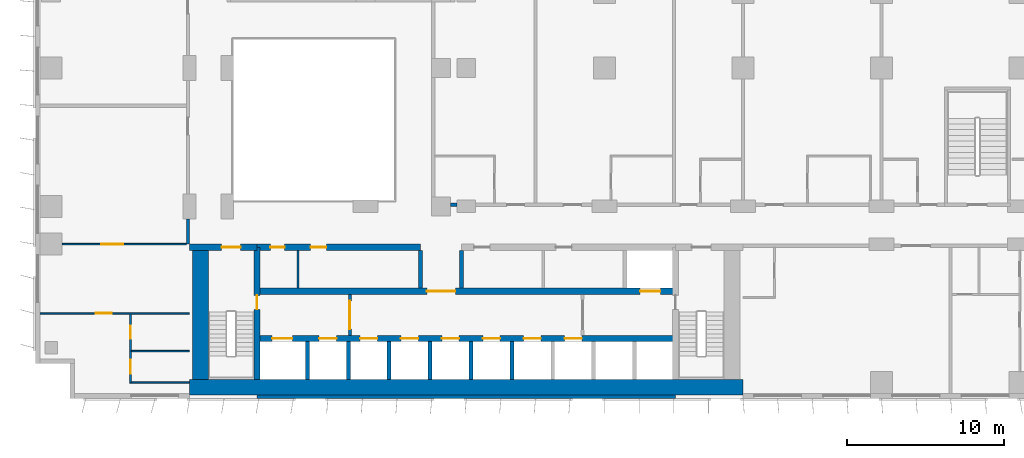
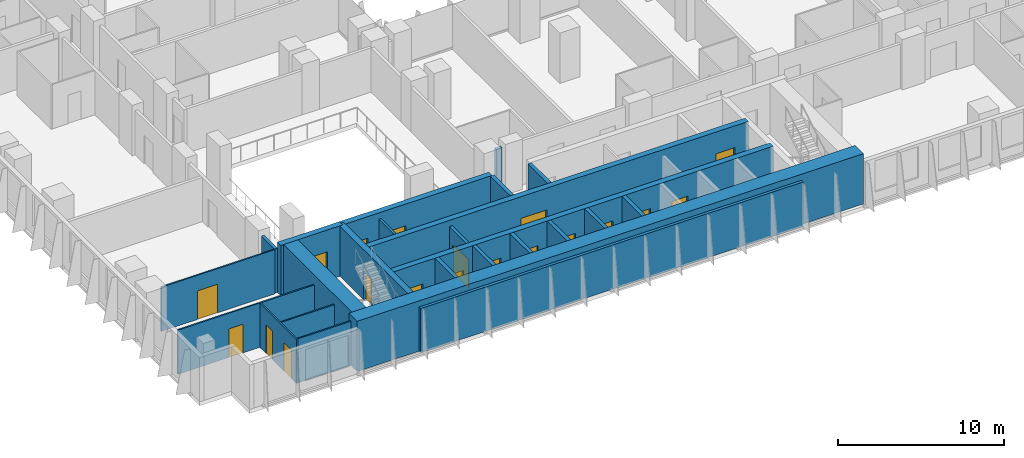
# One storey, part 12 of 24: 25 walls, 19 doors, 19 openings.
"""IFC4 building model written with IfcOpenShell, lengths in metres."""

from ifc_helpers import new_model, si_unit, direction, frame, frame_2d, origin, place, context, subcontext, project, spatial, rectangle, extrude, material, layer, layer_set, type_object, element, fill, save


model = new_model("IFC4")

# Units and contexts
model_context = context("Model", 3, precision=1e-05, world=origin(), true_north=direction((0.0, 1.0)))
body_context = subcontext(model_context, "Body", "Model", "MODEL_VIEW")
ifc_project = project(units=[si_unit("LENGTHUNIT", "METRE"), si_unit("AREAUNIT", "SQUARE_METRE"), si_unit("VOLUMEUNIT", "CUBIC_METRE"), si_unit("PLANEANGLEUNIT", "RADIAN"), si_unit("MASSUNIT", "GRAM", prefix="KILO")], contexts=[model_context])

# Site, building, storey
site_placement = place(None, origin())
site = spatial("IfcSite", under=ifc_project, at=site_placement, CompositionType="ELEMENT")
building_placement = place(site_placement, origin())
building = spatial("IfcBuilding", under=site, at=building_placement, Name="Kemantara Hotel Tower", CompositionType="ELEMENT")
storey_placement = place(building_placement, frame((0.0, 0.0, 79.699951171875)))
storey = spatial("IfcBuildingStorey", under=building, at=storey_placement, Name="L18", CompositionType="ELEMENT", Elevation=79.699951171875)

# Walls
ifc_material_1 = material(Name="Bronze anodised aluminium cladding on insulated steel stud wall", Category="steel")
ifc_layer_1 = layer(ifc_material_1, 0.199951171875)
ifc_layer_set_1 = layer_set([ifc_layer_1], Name="Bronze anodised aluminium cladding on insulated steel stud wall")
wall_type_1 = type_object("IfcWallType", Name="BRONZE METAL-CLAD EXTERNAL WALL 200", PredefinedType="STANDARD", material=ifc_layer_set_1)
wall_1_placement = place(storey_placement, frame((14.10009765625, 0.10009765625, 0.0), z_axis=(0.0, 0.0, 1.0), x_axis=(1.0, 0.0, 0.0)))
element("IfcWall", 1, at=wall_1_placement, inside=storey, type_object=wall_type_1, Name="EXTERNAL WALL L18 T1-R01-2", PredefinedType="STANDARD", context=body_context, shape_type="SweptSolid", body=[
    extrude(rectangle(XDim=26.599853515625, YDim=0.199951171875, at=frame_2d((13.2998046875, 0.0))), origin(), (0.0, 0.0, 1.0), 3.25),
])
ifc_material_2 = material(Name="Concrete fc 70 MPa", Category="concrete")
ifc_layer_2 = layer(ifc_material_2, 1.0)
ifc_layer_set_2 = layer_set([ifc_layer_2], Name="Concrete fc 70 MPa")
wall_type_2 = type_object("IfcWallType", Name="CORE WALL 1000 FC70", PredefinedType="SHEAR", material=ifc_layer_set_2)
wall_2_placement = place(storey_placement, frame((9.800048828125, 0.699951171875, 0.0), z_axis=(0.0, 0.0, 1.0), x_axis=(1.0, 0.0, 0.0)))
element("IfcWall", 2, at=wall_2_placement, inside=storey, type_object=wall_type_2, Name="CORE WALL CW-S", PredefinedType="SHEAR", context=body_context, shape_type="SweptSolid", body=[
    extrude(rectangle(XDim=35.199951171875, YDim=1.0, at=frame_2d((17.60009765625, 0.0))), origin(), (0.0, 0.0, 1.0), 3.699951171875),
])
wall_3_placement = place(storey_placement, frame((10.5, 1.199951171875, 0.0), z_axis=(0.0, 0.0, 1.0), x_axis=(0.0, 1.0, 0.0)))
element("IfcWall", 3, at=wall_3_placement, inside=storey, type_object=wall_type_2, Name="CORE WALL CW-W", PredefinedType="SHEAR", context=body_context, shape_type="SweptSolid", body=[
    extrude(rectangle(XDim=8.60009765625, YDim=1.0, at=frame_2d((4.300048828125, 0.0))), origin(), (0.0, 0.0, 1.0), 3.699951171875),
])
ifc_layer_3 = layer(ifc_material_2, 0.25)
ifc_layer_set_3 = layer_set([ifc_layer_3], Name="Concrete fc 70 MPa")
wall_type_3 = type_object("IfcWallType", Name="CORE WALL 250 FC70", PredefinedType="SHEAR", material=ifc_layer_set_3)
for number, where, z_axis, x_axis, name in (
    (4, (17.300048828125, 1.199951171875, 0.0), (0.0, 0.0, 1.0), (0.0, 1.0, 0.0), "CORE WALL CW-DS17.3"),
    (5, (19.89990234375, 1.199951171875, 0.0), (0.0, 0.0, 1.0), (0.0, 1.0, 0.0), "CORE WALL CW-DS19.9"),
    (6, (22.5, 1.199951171875, 0.0), (0.0, 0.0, 1.0), (0.0, 1.0, 0.0), "CORE WALL CW-DS22.5"),
    (7, (25.10009765625, 1.199951171875, 0.0), (0.0, 0.0, 1.0), (0.0, 1.0, 0.0), "CORE WALL CW-DS25.1"),
    (8, (27.699951171875, 1.199951171875, 0.0), (0.0, 0.0, 1.0), (0.0, 1.0, 0.0), "CORE WALL CW-DS27.7"),
    (9, (30.300048828125, 1.199951171875, 0.0), (0.0, 0.0, 1.0), (0.0, 1.0, 0.0), "CORE WALL CW-DS30.3"),
):
    element("IfcWall", number, at=place(storey_placement, frame(where, z_axis=z_axis, x_axis=x_axis)), inside=storey, type_object=wall_type_3, Name=name, PredefinedType="SHEAR", context=body_context, shape_type="SweptSolid", body=[
        extrude(rectangle(XDim=2.400146484375, YDim=0.25, at=frame_2d((1.2001953125, 0.0))), origin(), (0.0, 0.0, 1.0), 3.699951171875),
    ])
for number, where, z_axis, x_axis, name in (
    (10, (24.5, 7.0, 0.0), (0.0, 0.0, 1.0), (0.0, 1.0, 0.0), "CORE WALL CW-DN24.5"),
    (11, (27.10009765625, 7.0, 0.0), (0.0, 0.0, 1.0), (0.0, 1.0, 0.0), "CORE WALL CW-DN27.1"),
):
    element("IfcWall", number, at=place(storey_placement, frame(where, z_axis=z_axis, x_axis=x_axis)), inside=storey, type_object=wall_type_3, Name=name, PredefinedType="SHEAR", context=body_context, shape_type="SweptSolid", body=[
        extrude(rectangle(XDim=2.39990234375, YDim=0.25, at=frame_2d((1.199951171875, 0.0))), origin(), (0.0, 0.0, 1.0), 3.699951171875),
    ])

# Wall, opening, door
ifc_layer_4 = layer(ifc_material_2, 0.39990234375)
ifc_layer_set_4 = layer_set([ifc_layer_4], Name="Concrete fc 70 MPa")
wall_type_4 = type_object("IfcWallType", Name="CORE WALL 400 FC70", PredefinedType="SHEAR", material=ifc_layer_set_4)
wall_4_placement = place(storey_placement, frame((9.800048828125, 9.60009765625, 0.0), z_axis=(0.0, 0.0, 1.0), x_axis=(1.0, 0.0, 0.0)))
wall_4 = element("IfcWall", 12, at=wall_4_placement, inside=storey, type_object=wall_type_4, Name="CORE WALL CW-N1", PredefinedType="SHEAR", context=body_context, shape_type="SweptSolid", body=[
    extrude(rectangle(XDim=4.300048828125, YDim=0.39990234375, at=frame_2d((2.14990234375, 0.0))), origin(), (0.0, 0.0, 1.0), 3.699951171875),
])
opening_1_placement = place(wall_4_placement, frame((2.050048828125, 0.0, 0.0)))
opening_1 = element("IfcOpeningElement", 13, at=opening_1_placement, cuts=wall_4, Name="Opening C13-ST1-C", PredefinedType="OPENING", context=body_context, shape_type="SweptSolid", body=[
    extrude(rectangle(XDim=1.199951171875, YDim=2.10009765625, at=frame_2d((0.60009765625, 1.050048828125))), frame((0.0, 0.2099609375, 0.0), z_axis=(0.0, -1.0, 0.0), x_axis=(1.0, 0.0, 0.0)), (0.0, 0.0, 1.0), 0.419921875),
])
ifc_material_3 = material(Name="Steel fire door", Category="steel")
door_type_1 = type_object("IfcDoorType", Name="Fire door FD90 1200 x 2100", OperationType="NOTDEFINED", PredefinedType="DOOR", material=ifc_material_3)
door_1_placement = place(opening_1_placement, frame((1.199951171875, 0.0, 0.0), z_axis=(0.0, 0.0, 1.0), x_axis=(-1.0, 0.0, 0.0)))
door_1 = element("IfcDoor", 14, at=door_1_placement, inside=storey, type_object=door_type_1, Name="Stair ST1 door to corridor", OperationType="SINGLE_SWING_LEFT", OverallHeight=2.10009765625, OverallWidth=1.199951171875, PredefinedType="DOOR", context=body_context, shape_type="SweptSolid", body=[
    extrude(rectangle(XDim=1.199951171875, YDim=2.10009765625, at=frame_2d((0.60009765625, 1.050048828125))), frame((0.0, 0.02490234375, 0.0), z_axis=(0.0, -1.0, 0.0), x_axis=(1.0, 0.0, 0.0)), (0.0, 0.0, 1.0), 0.050048828125),
])
fill(opening_1, door_1)

# Wall, openings, doors
wall_5_placement = place(storey_placement, frame((14.10009765625, 9.60009765625, 0.0), z_axis=(0.0, 0.0, 1.0), x_axis=(1.0, 0.0, 0.0)))
wall_5 = element("IfcWall", 15, at=wall_5_placement, inside=storey, type_object=wall_type_4, Name="CORE WALL CW-NN1", PredefinedType="SHEAR", context=body_context, shape_type="SweptSolid", body=[
    extrude(rectangle(XDim=10.39990234375, YDim=0.39990234375, at=frame_2d((5.199951171875, 0.0))), origin(), (0.0, 0.0, 1.0), 3.699951171875),
])
opening_2_placement = place(wall_5_placement, frame((0.85009765625, 0.0, 0.0)))
opening_2 = element("IfcOpeningElement", 16, at=opening_2_placement, cuts=wall_5, Name="Opening C13-R-NW1", PredefinedType="OPENING", context=body_context, shape_type="SweptSolid", body=[
    extrude(rectangle(XDim=0.89990234375, YDim=2.10009765625, at=frame_2d((0.449951171875, 1.050048828125))), frame((0.0, 0.2099609375, 0.0), z_axis=(0.0, -1.0, 0.0), x_axis=(1.0, 0.0, 0.0)), (0.0, 0.0, 1.0), 0.419921875),
])
opening_3_placement = place(wall_5_placement, frame((3.39990234375, 0.0, 0.0)))
opening_3 = element("IfcOpeningElement", 17, at=opening_3_placement, cuts=wall_5, Name="Opening C13-R-NW2", PredefinedType="OPENING", context=body_context, shape_type="SweptSolid", body=[
    extrude(rectangle(XDim=1.0, YDim=2.10009765625, at=frame_2d((0.5, 1.050048828125))), frame((0.0, 0.2099609375, 0.0), z_axis=(0.0, -1.0, 0.0), x_axis=(1.0, 0.0, 0.0)), (0.0, 0.0, 1.0), 0.419921875),
])
door_type_2 = type_object("IfcDoorType", Name="Fire door FD30S 1000 x 2100", OperationType="NOTDEFINED", PredefinedType="DOOR", material=ifc_material_3)
door_2_placement = place(opening_3_placement, frame((1.0, 0.0, 0.0), z_axis=(0.0, 0.0, 1.0), x_axis=(-1.0, 0.0, 0.0)))
door_2 = element("IfcDoor", 18, at=door_2_placement, inside=storey, type_object=door_type_2, Name="Housekeeping Store door", OperationType="SINGLE_SWING_RIGHT", OverallHeight=2.10009765625, OverallWidth=1.0, PredefinedType="DOOR", context=body_context, shape_type="SweptSolid", body=[
    extrude(rectangle(XDim=1.0, YDim=2.10009765625, at=frame_2d((0.5, 1.050048828125))), frame((0.0, 0.02490234375, 0.0), z_axis=(0.0, -1.0, 0.0), x_axis=(1.0, 0.0, 0.0)), (0.0, 0.0, 1.0), 0.050048828125),
])
fill(opening_3, door_2)
door_type_3 = type_object("IfcDoorType", Name="Fire door FD30S 900 x 2100", OperationType="NOTDEFINED", PredefinedType="DOOR", material=ifc_material_3)
door_3_placement = place(opening_2_placement, frame((0.89990234375, 0.0, 0.0), z_axis=(0.0, 0.0, 1.0), x_axis=(-1.0, 0.0, 0.0)))
door_3 = element("IfcDoor", 19, at=door_3_placement, inside=storey, type_object=door_type_3, Name="Staff Wc door", OperationType="SINGLE_SWING_RIGHT", OverallHeight=2.10009765625, OverallWidth=0.89990234375, PredefinedType="DOOR", context=body_context, shape_type="SweptSolid", body=[
    extrude(rectangle(XDim=0.89990234375, YDim=2.10009765625, at=frame_2d((0.449951171875, 1.050048828125))), frame((0.0, 0.02490234375, 0.0), z_axis=(0.0, -1.0, 0.0), x_axis=(1.0, 0.0, 0.0)), (0.0, 0.0, 1.0), 0.050048828125),
])
fill(opening_2, door_3)

wall_6_placement = place(storey_placement, frame((14.10009765625, 3.800048828125, 0.0), z_axis=(0.0, 0.0, 1.0), x_axis=(1.0, 0.0, 0.0)))
wall_6 = element("IfcWall", 20, at=wall_6_placement, inside=storey, type_object=wall_type_4, Name="CORE WALL CW-L1", PredefinedType="SHEAR", context=body_context, shape_type="SweptSolid", body=[
    extrude(rectangle(XDim=26.599853515625, YDim=0.39990234375, at=frame_2d((13.2998046875, 0.0))), origin(), (0.0, 0.0, 1.0), 3.699951171875),
])
opening_4_placement = place(wall_6_placement, frame((0.949951171875, 0.0, 0.0)))
opening_4 = element("IfcOpeningElement", 21, at=opening_4_placement, cuts=wall_6, Name="Opening C13-LD-FF1", PredefinedType="OPENING", context=body_context, shape_type="SweptSolid", body=[
    extrude(rectangle(XDim=1.300048828125, YDim=2.10009765625, at=frame_2d((0.64990234375, 1.050048828125))), frame((0.0, 0.2099609375, 0.0), z_axis=(0.0, -1.0, 0.0), x_axis=(1.0, 0.0, 0.0)), (0.0, 0.0, 1.0), 0.419921875),
])
opening_5_placement = place(wall_6_placement, frame((3.949951171875, 0.0, 0.0)))
opening_5 = element("IfcOpeningElement", 22, at=opening_5_placement, cuts=wall_6, Name="Opening C13-LD-SV1", PredefinedType="OPENING", context=body_context, shape_type="SweptSolid", body=[
    extrude(rectangle(XDim=1.10009765625, YDim=2.10009765625, at=frame_2d((0.550048828125, 1.050048828125))), frame((0.0, 0.2099609375, 0.0), z_axis=(0.0, -1.0, 0.0), x_axis=(1.0, 0.0, 0.0)), (0.0, 0.0, 1.0), 0.419921875),
])
opening_6_placement = place(wall_6_placement, frame((6.550048828125, 0.0, 0.0)))
opening_6 = element("IfcOpeningElement", 23, at=opening_6_placement, cuts=wall_6, Name="Opening C13-LD-SV2", PredefinedType="OPENING", context=body_context, shape_type="SweptSolid", body=[
    extrude(rectangle(XDim=1.10009765625, YDim=2.10009765625, at=frame_2d((0.550048828125, 1.050048828125))), frame((0.0, 0.2099609375, 0.0), z_axis=(0.0, -1.0, 0.0), x_axis=(1.0, 0.0, 0.0)), (0.0, 0.0, 1.0), 0.419921875),
])
opening_7_placement = place(wall_6_placement, frame((9.14990234375, 0.0, 0.0)))
opening_7 = element("IfcOpeningElement", 24, at=opening_7_placement, cuts=wall_6, Name="Opening C13-LD-SV3", PredefinedType="OPENING", context=body_context, shape_type="SweptSolid", body=[
    extrude(rectangle(XDim=1.10009765625, YDim=2.10009765625, at=frame_2d((0.550048828125, 1.050048828125))), frame((0.0, 0.2099609375, 0.0), z_axis=(0.0, -1.0, 0.0), x_axis=(1.0, 0.0, 0.0)), (0.0, 0.0, 1.0), 0.419921875),
])
opening_8_placement = place(wall_6_placement, frame((11.75, 0.0, 0.0)))
opening_8 = element("IfcOpeningElement", 25, at=opening_8_placement, cuts=wall_6, Name="Opening C13-LD-LR1", PredefinedType="OPENING", context=body_context, shape_type="SweptSolid", body=[
    extrude(rectangle(XDim=1.10009765625, YDim=2.10009765625, at=frame_2d((0.550048828125, 1.050048828125))), frame((0.0, 0.2099609375, 0.0), z_axis=(0.0, -1.0, 0.0), x_axis=(1.0, 0.0, 0.0)), (0.0, 0.0, 1.0), 0.419921875),
])
opening_9_placement = place(wall_6_placement, frame((14.35009765625, 0.0, 0.0)))
opening_9 = element("IfcOpeningElement", 26, at=opening_9_placement, cuts=wall_6, Name="Opening C13-LD-LR2", PredefinedType="OPENING", context=body_context, shape_type="SweptSolid", body=[
    extrude(rectangle(XDim=1.10009765625, YDim=2.10009765625, at=frame_2d((0.550048828125, 1.050048828125))), frame((0.0, 0.2099609375, 0.0), z_axis=(0.0, -1.0, 0.0), x_axis=(1.0, 0.0, 0.0)), (0.0, 0.0, 1.0), 0.419921875),
])
opening_10_placement = place(wall_6_placement, frame((16.949951171875, 0.0, 0.0)))
opening_10 = element("IfcOpeningElement", 27, at=opening_10_placement, cuts=wall_6, Name="Opening C13-LD-LR3", PredefinedType="OPENING", context=body_context, shape_type="SweptSolid", body=[
    extrude(rectangle(XDim=1.10009765625, YDim=2.10009765625, at=frame_2d((0.550048828125, 1.050048828125))), frame((0.0, 0.2099609375, 0.0), z_axis=(0.0, -1.0, 0.0), x_axis=(1.0, 0.0, 0.0)), (0.0, 0.0, 1.0), 0.419921875),
])
opening_11_placement = place(wall_6_placement, frame((19.550048828125, 0.0, 0.0)))
opening_11 = element("IfcOpeningElement", 28, at=opening_11_placement, cuts=wall_6, Name="Opening C13-LD-LR4", PredefinedType="OPENING", context=body_context, shape_type="SweptSolid", body=[
    extrude(rectangle(XDim=1.10009765625, YDim=2.10009765625, at=frame_2d((0.550048828125, 1.050048828125))), frame((0.0, 0.2099609375, 0.0), z_axis=(0.0, -1.0, 0.0), x_axis=(1.0, 0.0, 0.0)), (0.0, 0.0, 1.0), 0.419921875),
])
ifc_material_4 = material(Name="Stainless steel lift door", Category="steel")
door_type_4 = type_object("IfcDoorType", Name="Lift landing door 1100 x 2100 FD60", OperationType="DOUBLE_DOOR_SLIDING", PredefinedType="DOOR", material=ifc_material_4)
door_4_placement = place(opening_5_placement, origin())
door_4 = element("IfcDoor", 29, at=door_4_placement, inside=storey, type_object=door_type_4, Name="Lift SV1 landing door", OperationType="DOUBLE_DOOR_SLIDING", OverallHeight=2.10009765625, OverallWidth=1.10009765625, PredefinedType="DOOR", context=body_context, shape_type="SweptSolid", body=[
    extrude(rectangle(XDim=1.10009765625, YDim=2.10009765625, at=frame_2d((0.550048828125, 1.050048828125))), frame((0.0, 0.02490234375, 0.0), z_axis=(0.0, -1.0, 0.0), x_axis=(1.0, 0.0, 0.0)), (0.0, 0.0, 1.0), 0.050048828125),
])
fill(opening_5, door_4)
door_5_placement = place(opening_6_placement, origin())
door_5 = element("IfcDoor", 30, at=door_5_placement, inside=storey, type_object=door_type_4, Name="Lift SV2 landing door", OperationType="DOUBLE_DOOR_SLIDING", OverallHeight=2.10009765625, OverallWidth=1.10009765625, PredefinedType="DOOR", context=body_context, shape_type="SweptSolid", body=[
    extrude(rectangle(XDim=1.10009765625, YDim=2.10009765625, at=frame_2d((0.550048828125, 1.050048828125))), frame((0.0, 0.02490234375, 0.0), z_axis=(0.0, -1.0, 0.0), x_axis=(1.0, 0.0, 0.0)), (0.0, 0.0, 1.0), 0.050048828125),
])
fill(opening_6, door_5)
door_6_placement = place(opening_7_placement, origin())
door_6 = element("IfcDoor", 31, at=door_6_placement, inside=storey, type_object=door_type_4, Name="Lift SV3 landing door", OperationType="DOUBLE_DOOR_SLIDING", OverallHeight=2.10009765625, OverallWidth=1.10009765625, PredefinedType="DOOR", context=body_context, shape_type="SweptSolid", body=[
    extrude(rectangle(XDim=1.10009765625, YDim=2.10009765625, at=frame_2d((0.550048828125, 1.050048828125))), frame((0.0, 0.02490234375, 0.0), z_axis=(0.0, -1.0, 0.0), x_axis=(1.0, 0.0, 0.0)), (0.0, 0.0, 1.0), 0.050048828125),
])
fill(opening_7, door_6)
door_7_placement = place(opening_8_placement, origin())
door_7 = element("IfcDoor", 32, at=door_7_placement, inside=storey, type_object=door_type_4, Name="Lift LR1 landing door", OperationType="DOUBLE_DOOR_SLIDING", OverallHeight=2.10009765625, OverallWidth=1.10009765625, PredefinedType="DOOR", context=body_context, shape_type="SweptSolid", body=[
    extrude(rectangle(XDim=1.10009765625, YDim=2.10009765625, at=frame_2d((0.550048828125, 1.050048828125))), frame((0.0, 0.02490234375, 0.0), z_axis=(0.0, -1.0, 0.0), x_axis=(1.0, 0.0, 0.0)), (0.0, 0.0, 1.0), 0.050048828125),
])
fill(opening_8, door_7)
door_8_placement = place(opening_9_placement, origin())
door_8 = element("IfcDoor", 33, at=door_8_placement, inside=storey, type_object=door_type_4, Name="Lift LR2 landing door", OperationType="DOUBLE_DOOR_SLIDING", OverallHeight=2.10009765625, OverallWidth=1.10009765625, PredefinedType="DOOR", context=body_context, shape_type="SweptSolid", body=[
    extrude(rectangle(XDim=1.10009765625, YDim=2.10009765625, at=frame_2d((0.550048828125, 1.050048828125))), frame((0.0, 0.02490234375, 0.0), z_axis=(0.0, -1.0, 0.0), x_axis=(1.0, 0.0, 0.0)), (0.0, 0.0, 1.0), 0.050048828125),
])
fill(opening_9, door_8)
door_9_placement = place(opening_10_placement, origin())
door_9 = element("IfcDoor", 34, at=door_9_placement, inside=storey, type_object=door_type_4, Name="Lift LR3 landing door", OperationType="DOUBLE_DOOR_SLIDING", OverallHeight=2.10009765625, OverallWidth=1.10009765625, PredefinedType="DOOR", context=body_context, shape_type="SweptSolid", body=[
    extrude(rectangle(XDim=1.10009765625, YDim=2.10009765625, at=frame_2d((0.550048828125, 1.050048828125))), frame((0.0, 0.02490234375, 0.0), z_axis=(0.0, -1.0, 0.0), x_axis=(1.0, 0.0, 0.0)), (0.0, 0.0, 1.0), 0.050048828125),
])
fill(opening_10, door_9)
door_10_placement = place(opening_11_placement, origin())
door_10 = element("IfcDoor", 35, at=door_10_placement, inside=storey, type_object=door_type_4, Name="Lift LR4 landing door", OperationType="DOUBLE_DOOR_SLIDING", OverallHeight=2.10009765625, OverallWidth=1.10009765625, PredefinedType="DOOR", context=body_context, shape_type="SweptSolid", body=[
    extrude(rectangle(XDim=1.10009765625, YDim=2.10009765625, at=frame_2d((0.550048828125, 1.050048828125))), frame((0.0, 0.02490234375, 0.0), z_axis=(0.0, -1.0, 0.0), x_axis=(1.0, 0.0, 0.0)), (0.0, 0.0, 1.0), 0.050048828125),
])
fill(opening_11, door_10)
door_type_5 = type_object("IfcDoorType", Name="Lift landing door 1300 x 2100 FD90", OperationType="DOUBLE_DOOR_SLIDING", PredefinedType="DOOR", material=ifc_material_4)
door_11_placement = place(opening_4_placement, origin())
door_11 = element("IfcDoor", 36, at=door_11_placement, inside=storey, type_object=door_type_5, Name="Lift FF1 landing door", OperationType="DOUBLE_DOOR_SLIDING", OverallHeight=2.10009765625, OverallWidth=1.300048828125, PredefinedType="DOOR", context=body_context, shape_type="SweptSolid", body=[
    extrude(rectangle(XDim=1.300048828125, YDim=2.10009765625, at=frame_2d((0.64990234375, 1.050048828125))), frame((0.0, 0.02490234375, 0.0), z_axis=(0.0, -1.0, 0.0), x_axis=(1.0, 0.0, 0.0)), (0.0, 0.0, 1.0), 0.050048828125),
])
fill(opening_4, door_11)

wall_7_placement = place(storey_placement, frame((14.10009765625, 6.800048828125, 0.0), z_axis=(0.0, 0.0, 1.0), x_axis=(1.0, 0.0, 0.0)))
wall_7 = element("IfcWall", 37, at=wall_7_placement, inside=storey, type_object=wall_type_4, Name="CORE WALL CW-L2", PredefinedType="SHEAR", context=body_context, shape_type="SweptSolid", body=[
    extrude(rectangle(XDim=26.599853515625, YDim=0.39990234375, at=frame_2d((13.2998046875, 0.0))), origin(), (0.0, 0.0, 1.0), 3.699951171875),
])
opening_12_placement = place(wall_7_placement, frame((10.800048828125, 0.0, 0.0)))
opening_12 = element("IfcOpeningElement", 38, at=opening_12_placement, cuts=wall_7, Name="Opening C13-VL", PredefinedType="OPENING", context=body_context, shape_type="SweptSolid", body=[
    extrude(rectangle(XDim=1.800048828125, YDim=2.10009765625, at=frame_2d((0.89990234375, 1.050048828125))), frame((0.0, 0.2099609375, 0.0), z_axis=(0.0, -1.0, 0.0), x_axis=(1.0, 0.0, 0.0)), (0.0, 0.0, 1.0), 0.419921875),
])
opening_13_placement = place(wall_7_placement, frame((24.35009765625, 0.0, 0.0)))
opening_13 = element("IfcOpeningElement", 39, at=opening_13_placement, cuts=wall_7, Name="Opening C13-LD-FF2", PredefinedType="OPENING", context=body_context, shape_type="SweptSolid", body=[
    extrude(rectangle(XDim=1.300048828125, YDim=2.10009765625, at=frame_2d((0.64990234375, 1.050048828125))), frame((0.0, 0.2099609375, 0.0), z_axis=(0.0, -1.0, 0.0), x_axis=(1.0, 0.0, 0.0)), (0.0, 0.0, 1.0), 0.419921875),
])
door_type_6 = type_object("IfcDoorType", Name="Fire door pair FD60 1800 x 2100", OperationType="DOUBLE_DOOR_SINGLE_SWING", PredefinedType="DOOR", material=ifc_material_3)
door_12_placement = place(opening_12_placement, frame((1.800048828125, 0.0, 0.0), z_axis=(0.0, 0.0, 1.0), x_axis=(-1.0, 0.0, 0.0)))
door_12 = element("IfcDoor", 40, at=door_12_placement, inside=storey, type_object=door_type_6, Name="Lift lobby entry door", OperationType="DOUBLE_DOOR_SINGLE_SWING", OverallHeight=2.10009765625, OverallWidth=1.800048828125, PredefinedType="DOOR", context=body_context, shape_type="SweptSolid", body=[
    extrude(rectangle(XDim=1.800048828125, YDim=2.10009765625, at=frame_2d((0.89990234375, 1.050048828125))), frame((0.0, 0.02490234375, 0.0), z_axis=(0.0, -1.0, 0.0), x_axis=(1.0, 0.0, 0.0)), (0.0, 0.0, 1.0), 0.050048828125),
])
fill(opening_12, door_12)
door_13_placement = place(opening_13_placement, origin())
door_13 = element("IfcDoor", 41, at=door_13_placement, inside=storey, type_object=door_type_5, Name="Lift FF2 landing door", OperationType="DOUBLE_DOOR_SLIDING", OverallHeight=2.10009765625, OverallWidth=1.300048828125, PredefinedType="DOOR", context=body_context, shape_type="SweptSolid", body=[
    extrude(rectangle(XDim=1.300048828125, YDim=2.10009765625, at=frame_2d((0.64990234375, 1.050048828125))), frame((0.0, 0.02490234375, 0.0), z_axis=(0.0, -1.0, 0.0), x_axis=(1.0, 0.0, 0.0)), (0.0, 0.0, 1.0), 0.050048828125),
])
fill(opening_13, door_13)

# Wall, opening, door
wall_8_placement = place(storey_placement, frame((14.10009765625, 1.199951171875, 0.0), z_axis=(0.0, 0.0, 1.0), x_axis=(0.0, 1.0, 0.0)))
wall_8 = element("IfcWall", 42, at=wall_8_placement, inside=storey, type_object=wall_type_4, Name="CORE WALL CW-ST1E", PredefinedType="SHEAR", context=body_context, shape_type="SweptSolid", body=[
    extrude(rectangle(XDim=8.400146484375, YDim=0.39990234375, at=frame_2d((4.2001953125, 0.0))), origin(), (0.0, 0.0, 1.0), 3.699951171875),
])
opening_14_placement = place(wall_8_placement, frame((4.449951171875, 0.0, 0.0)))
opening_14 = element("IfcOpeningElement", 43, at=opening_14_placement, cuts=wall_8, Name="Opening C13-ST1-F", PredefinedType="OPENING", context=body_context, shape_type="SweptSolid", body=[
    extrude(rectangle(XDim=0.89990234375, YDim=2.10009765625, at=frame_2d((0.449951171875, 1.050048828125))), frame((0.0, 0.2099609375, 0.0), z_axis=(0.0, -1.0, 0.0), x_axis=(1.0, 0.0, 0.0)), (0.0, 0.0, 1.0), 0.419921875),
])
door_type_7 = type_object("IfcDoorType", Name="Fire door FD90 900 x 2100", OperationType="NOTDEFINED", PredefinedType="DOOR", material=ifc_material_3)
door_14_placement = place(opening_14_placement, origin())
door_14 = element("IfcDoor", 44, at=door_14_placement, inside=storey, type_object=door_type_7, Name="Stair ST1 door to firefighting lobby", OperationType="SINGLE_SWING_RIGHT", OverallHeight=2.10009765625, OverallWidth=0.89990234375, PredefinedType="DOOR", context=body_context, shape_type="SweptSolid", body=[
    extrude(rectangle(XDim=0.89990234375, YDim=2.10009765625, at=frame_2d((0.449951171875, 1.050048828125))), frame((0.0, 0.02490234375, 0.0), z_axis=(0.0, -1.0, 0.0), x_axis=(1.0, 0.0, 0.0)), (0.0, 0.0, 1.0), 0.050048828125),
])
fill(opening_14, door_14)

# Walls
ifc_material_5 = material(Name="Gypsum board partition, steel studs and mineral wool, 200 mm", Category="steel")
ifc_layer_5 = layer(ifc_material_5, 0.199951171875)
ifc_layer_set_5 = layer_set([ifc_layer_5], Name="Gypsum board partition, steel studs and mineral wool, 200 mm")
wall_type_5 = type_object("IfcWallType", Name="CORRIDOR WALL 200", PredefinedType="PARTITIONING", material=ifc_layer_set_5)
wall_9_placement = place(storey_placement, frame((26.400146484375, 12.300048828125, 0.0), z_axis=(0.0, 0.0, 1.0), x_axis=(1.0, 0.0, 0.0)))
element("IfcWall", 45, at=wall_9_placement, inside=storey, type_object=wall_type_5, Name="CORRIDOR WALL 200 009", PredefinedType="PARTITIONING", context=body_context, shape_type="SweptSolid", body=[
    extrude(rectangle(XDim=0.399658203125, YDim=0.199951171875, at=frame_2d((0.19970703125, 0.0))), origin(), (0.0, 0.0, 1.0), 3.25),
])
wall_10_placement = place(storey_placement, frame((9.699951171875, 9.800048828125, 0.0), z_axis=(0.0, 0.0, 1.0), x_axis=(0.0, 1.0, 0.0)))
element("IfcWall", 46, at=wall_10_placement, inside=storey, type_object=wall_type_5, Name="CORRIDOR WALL 200 025", PredefinedType="PARTITIONING", context=body_context, shape_type="SweptSolid", body=[
    extrude(rectangle(XDim=1.599853515625, YDim=0.199951171875, at=frame_2d((0.7998046875, 0.0))), origin(), (0.0, 0.0, 1.0), 3.25),
])
ifc_material_6 = material(Name="Gypsum board partition")
ifc_layer_6 = layer(ifc_material_6, 0.14990234375)
ifc_layer_set_6 = layer_set([ifc_layer_6], Name="Gypsum board partition")
wall_type_6 = type_object("IfcWallType", Name="Gypsum board partition 150 mm", PredefinedType="PARTITIONING", material=ifc_layer_set_6)
wall_11_placement = place(storey_placement, frame((16.699951171875, 7.0, 0.0), z_axis=(0.0, 0.0, 1.0), x_axis=(0.0, 1.0, 0.0)))
element("IfcWall", 47, at=wall_11_placement, inside=storey, type_object=wall_type_6, Name="Core room partition", PredefinedType="PARTITIONING", context=body_context, shape_type="SweptSolid", body=[
    extrude(rectangle(XDim=2.39990234375, YDim=0.14990234375, at=frame_2d((1.199951171875, 0.0))), origin(), (0.0, 0.0, 1.0), 3.25),
])

# Wall, opening, door
ifc_material_7 = material(Name="Gypsum board shaft wall")
ifc_layer_7 = layer(ifc_material_7, 0.199951171875)
ifc_layer_set_7 = layer_set([ifc_layer_7], Name="Gypsum board shaft wall")
wall_type_7 = type_object("IfcWallType", Name="Gypsum board shaft wall 200 mm", PredefinedType="PARTITIONING", material=ifc_layer_set_7)
wall_12_placement = place(storey_placement, frame((20.0, 4.0, 0.0), z_axis=(0.0, 0.0, 1.0), x_axis=(0.0, 1.0, 0.0)))
wall_12 = element("IfcWall", 48, at=wall_12_placement, inside=storey, type_object=wall_type_7, Name="Firefighting lobby partition west", PredefinedType="PARTITIONING", context=body_context, shape_type="SweptSolid", body=[
    extrude(rectangle(XDim=2.60009765625, YDim=0.199951171875, at=frame_2d((1.300048828125, 0.0))), origin(), (0.0, 0.0, 1.0), 3.25),
])
opening_15_placement = place(wall_12_placement, frame((0.39990234375, 0.0, 0.0)))
opening_15 = element("IfcOpeningElement", 49, at=opening_15_placement, cuts=wall_12, Name="Opening C13-FFW", PredefinedType="OPENING", context=body_context, shape_type="SweptSolid", body=[
    extrude(rectangle(XDim=1.800048828125, YDim=2.10009765625, at=frame_2d((0.89990234375, 1.050048828125))), frame((0.0, 0.10986328125, 0.0), z_axis=(0.0, -1.0, 0.0), x_axis=(1.0, 0.0, 0.0)), (0.0, 0.0, 1.0), 0.219970703125),
])
door_15_placement = place(opening_15_placement, origin())
door_15 = element("IfcDoor", 50, at=door_15_placement, inside=storey, type_object=door_type_6, Name="Firefighting lobby door west", OperationType="DOUBLE_DOOR_SINGLE_SWING", OverallHeight=2.10009765625, OverallWidth=1.800048828125, PredefinedType="DOOR", context=body_context, shape_type="SweptSolid", body=[
    extrude(rectangle(XDim=1.800048828125, YDim=2.10009765625, at=frame_2d((0.89990234375, 1.050048828125))), frame((0.0, 0.02490234375, 0.0), z_axis=(0.0, -1.0, 0.0), x_axis=(1.0, 0.0, 0.0)), (0.0, 0.0, 1.0), 0.050048828125),
])
fill(opening_15, door_15)

# Wall, openings, doors
ifc_material_8 = material(Name="Gypsum board partition on steel studs, 100 mm", Category="steel")
ifc_layer_8 = layer(ifc_material_8, 0.10009765625)
ifc_layer_set_8 = layer_set([ifc_layer_8], Name="Gypsum board partition on steel studs, 100 mm")
wall_type_8 = type_object("IfcWallType", Name="ROOM PARTITION 100", PredefinedType="PARTITIONING", material=ifc_layer_set_8)
wall_13_placement = place(storey_placement, frame((6.050048828125, 5.35009765625, 0.0), z_axis=(0.0, 0.0, 1.0), x_axis=(0.0, -1.0, 0.0)))
wall_13 = element("IfcWall", 51, at=wall_13_placement, inside=storey, type_object=wall_type_8, Name="ROOM PARTITION 100 085", PredefinedType="PARTITIONING", context=body_context, shape_type="SweptSolid", body=[
    extrude(rectangle(XDim=4.400146484375, YDim=0.10009765625, at=frame_2d((2.2001953125, 0.0))), origin(), (0.0, 0.0, 1.0), 3.25),
])
opening_16_placement = place(wall_13_placement, frame((2.89990234375, 0.0, 0.0)))
opening_16 = element("IfcOpeningElement", 52, at=opening_16_placement, cuts=wall_13, Name="Opening F06-032", PredefinedType="OPENING", context=body_context, shape_type="SweptSolid", body=[
    extrude(rectangle(XDim=0.89990234375, YDim=2.10009765625, at=frame_2d((0.449951171875, 1.050048828125))), frame((0.0, 0.06005859375, 0.0), z_axis=(0.0, -1.0, 0.0), x_axis=(1.0, 0.0, 0.0)), (0.0, 0.0, 1.0), 0.1201171875),
])
opening_17_placement = place(wall_13_placement, frame((0.75, 0.0, 0.0)))
opening_17 = element("IfcOpeningElement", 53, at=opening_17_placement, cuts=wall_13, Name="Opening F06-033", PredefinedType="OPENING", context=body_context, shape_type="SweptSolid", body=[
    extrude(rectangle(XDim=0.800048828125, YDim=2.10009765625, at=frame_2d((0.39990234375, 1.050048828125))), frame((0.0, 0.06005859375, 0.0), z_axis=(0.0, -1.0, 0.0), x_axis=(1.0, 0.0, 0.0)), (0.0, 0.0, 1.0), 0.1201171875),
])
ifc_material_9 = material(Name="Hardwood veneer door leaf with steel frame", Category="steel")
door_type_8 = type_object("IfcDoorType", Name="BATHROOM DOOR 900 X 2100", OperationType="NOTDEFINED", PredefinedType="DOOR", material=ifc_material_9)
door_16_placement = place(opening_16_placement, origin())
door_16 = element("IfcDoor", 54, at=door_16_placement, inside=storey, type_object=door_type_8, Name="BATHROOM DOOR F06-032", OperationType="SINGLE_SWING_LEFT", OverallHeight=2.10009765625, OverallWidth=0.89990234375, PredefinedType="DOOR", context=body_context, shape_type="SweptSolid", body=[
    extrude(rectangle(XDim=0.89990234375, YDim=2.10009765625, at=frame_2d((0.449951171875, 1.050048828125))), frame((0.0, 0.02490234375, 0.0), z_axis=(0.0, -1.0, 0.0), x_axis=(1.0, 0.0, 0.0)), (0.0, 0.0, 1.0), 0.050048828125),
])
fill(opening_16, door_16)
door_type_9 = type_object("IfcDoorType", Name="WARDROBE DOOR 800 X 2100", OperationType="NOTDEFINED", PredefinedType="DOOR", material=ifc_material_9)
door_17_placement = place(opening_17_placement, origin())
door_17 = element("IfcDoor", 55, at=door_17_placement, inside=storey, type_object=door_type_9, Name="WARDROBE DOOR F06-033", OperationType="SINGLE_SWING_LEFT", OverallHeight=2.10009765625, OverallWidth=0.800048828125, PredefinedType="DOOR", context=body_context, shape_type="SweptSolid", body=[
    extrude(rectangle(XDim=0.800048828125, YDim=2.10009765625, at=frame_2d((0.39990234375, 1.050048828125))), frame((0.0, 0.02490234375, 0.0), z_axis=(0.0, -1.0, 0.0), x_axis=(1.0, 0.0, 0.0)), (0.0, 0.0, 1.0), 0.050048828125),
])
fill(opening_17, door_17)

# Wall, opening, door
wall_14_placement = place(storey_placement, frame((9.60009765625, 9.800048828125, 0.0), z_axis=(0.0, 0.0, 1.0), x_axis=(-1.0, 0.0, 0.0)))
wall_14 = element("IfcWall", 56, at=wall_14_placement, inside=storey, type_object=wall_type_8, Name="ROOM PARTITION 100 087", PredefinedType="PARTITIONING", context=body_context, shape_type="SweptSolid", body=[
    extrude(rectangle(XDim=7.89990234375, YDim=0.10009765625, at=frame_2d((3.949951171875, 0.0))), origin(), (0.0, 0.0, 1.0), 3.25),
])
opening_18_placement = place(wall_14_placement, frame((4.0, 0.0, 0.0)))
opening_18 = element("IfcOpeningElement", 57, at=opening_18_placement, cuts=wall_14, Name="Opening F06-030", PredefinedType="OPENING", context=body_context, shape_type="SweptSolid", body=[
    extrude(rectangle(XDim=1.39990234375, YDim=2.10009765625, at=frame_2d((0.699951171875, 1.050048828125))), frame((0.0, 0.06005859375, 0.0), z_axis=(0.0, -1.0, 0.0), x_axis=(1.0, 0.0, 0.0)), (0.0, 0.0, 1.0), 0.1201171875),
])
door_type_10 = type_object("IfcDoorType", Name="INTERNAL DOOR 1400 X 2100", OperationType="NOTDEFINED", PredefinedType="DOOR", material=ifc_material_9)
door_18_placement = place(opening_18_placement, origin())
door_18 = element("IfcDoor", 58, at=door_18_placement, inside=storey, type_object=door_type_10, Name="INTERNAL DOOR F06-030", OperationType="DOUBLE_DOOR_SINGLE_SWING", OverallHeight=2.10009765625, OverallWidth=1.39990234375, PredefinedType="DOOR", context=body_context, shape_type="SweptSolid", body=[
    extrude(rectangle(XDim=1.39990234375, YDim=2.10009765625, at=frame_2d((0.699951171875, 1.050048828125))), frame((0.0, 0.02490234375, 0.0), z_axis=(0.0, -1.0, 0.0), x_axis=(1.0, 0.0, 0.0)), (0.0, 0.0, 1.0), 0.050048828125),
])
fill(opening_18, door_18)

wall_15_placement = place(storey_placement, frame((9.7998046875, 5.39990234375, 0.0), z_axis=(0.0, 0.0, 1.0), x_axis=(-1.0, 0.0, 0.0)))
wall_15 = element("IfcWall", 59, at=wall_15_placement, inside=storey, type_object=wall_type_8, Name="ROOM PARTITION 100 088", PredefinedType="PARTITIONING", context=body_context, shape_type="SweptSolid", body=[
    extrude(rectangle(XDim=9.48974609375, YDim=0.10009765625, at=frame_2d((4.744873046875, 0.0))), origin(), (0.0, 0.0, 1.0), 3.25),
])
opening_19_placement = place(wall_15_placement, frame((4.949951171875, 0.0, 0.0)))
opening_19 = element("IfcOpeningElement", 60, at=opening_19_placement, cuts=wall_15, Name="Opening F06-031", PredefinedType="OPENING", context=body_context, shape_type="SweptSolid", body=[
    extrude(rectangle(XDim=1.0, YDim=2.10009765625, at=frame_2d((0.5, 1.050048828125))), frame((0.0, 0.06005859375, 0.0), z_axis=(0.0, -1.0, 0.0), x_axis=(1.0, 0.0, 0.0)), (0.0, 0.0, 1.0), 0.1201171875),
])
door_type_11 = type_object("IfcDoorType", Name="INTERNAL DOOR 1000 X 2100", OperationType="NOTDEFINED", PredefinedType="DOOR", material=ifc_material_9)
door_19_placement = place(opening_19_placement, origin())
door_19 = element("IfcDoor", 61, at=door_19_placement, inside=storey, type_object=door_type_11, Name="INTERNAL DOOR F06-031", OperationType="SINGLE_SWING_LEFT", OverallHeight=2.10009765625, OverallWidth=1.0, PredefinedType="DOOR", context=body_context, shape_type="SweptSolid", body=[
    extrude(rectangle(XDim=1.0, YDim=2.10009765625, at=frame_2d((0.5, 1.050048828125))), frame((0.0, 0.02490234375, 0.0), z_axis=(0.0, -1.0, 0.0), x_axis=(1.0, 0.0, 0.0)), (0.0, 0.0, 1.0), 0.050048828125),
])
fill(opening_19, door_19)

# Walls
for number, where, z_axis, x_axis, name in (
    (62, (6.10009765625, 1.0, 0.0), (0.0, 0.0, 1.0), (1.0, 0.0, 0.0), "ROOM PARTITION 100 089"),
    (63, (6.10009765625, 3.0, 0.0), (0.0, 0.0, 1.0), (1.0, 0.0, 0.0), "ROOM PARTITION 100 090"),
):
    element("IfcWall", number, at=place(storey_placement, frame(where, z_axis=z_axis, x_axis=x_axis)), inside=storey, type_object=wall_type_8, Name=name, PredefinedType="PARTITIONING", context=body_context, shape_type="SweptSolid", body=[
        extrude(rectangle(XDim=3.69970703125, YDim=0.10009765625, at=frame_2d((1.849853515625, 0.0))), origin(), (0.0, 0.0, 1.0), 3.25),
    ])

save(model, "model.ifc")
